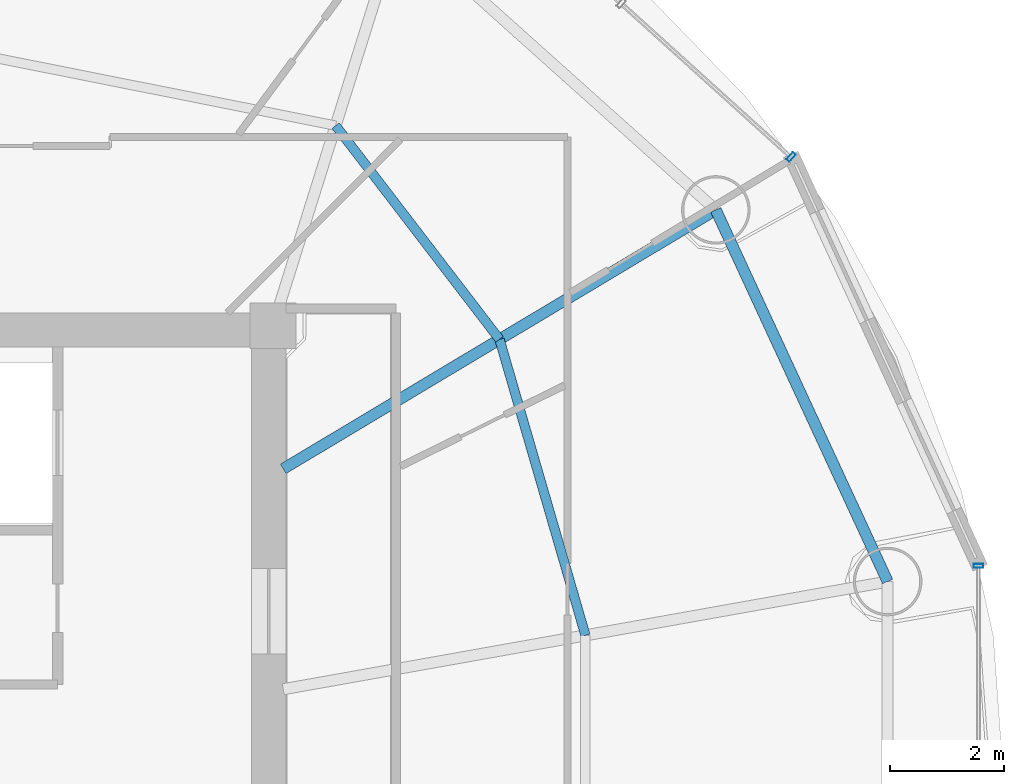
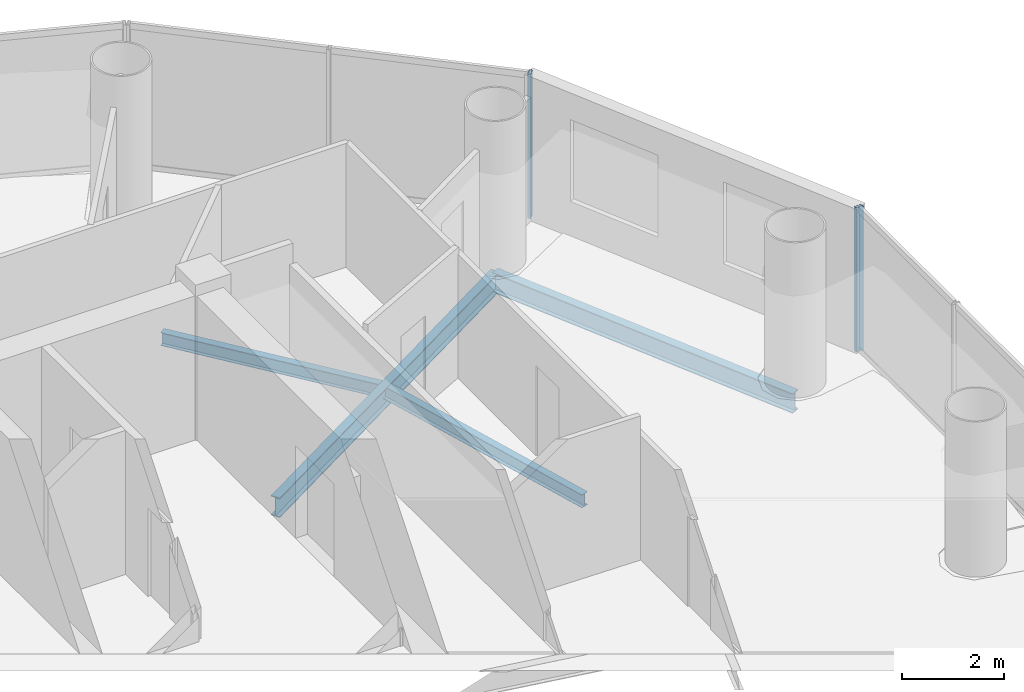
# One storey, part 13 of 26: 4 beams, 2 members, 2 elements without a shape of their own.
"""IFC4 building model written with IfcOpenShell, lengths in metres."""

from ifc_helpers import new_model, si_unit, direction, frame, origin, origin_2d, place, context, subcontext, project, spatial, hollow_rectangle, i_section, extrude, source, transform, mapped, material, material_profile, profile_set, type_object, element, aggregate, save


model = new_model("IFC4")

# Units and contexts
model_context = context("Model", 3, precision=1e-05, world=origin(), true_north=direction((-0.2419218956, 0.970295726276)))
body_context = subcontext(model_context, "Body", "Model", "MODEL_VIEW")
ifc_project = project(units=[si_unit("LENGTHUNIT", "METRE"), si_unit("AREAUNIT", "SQUARE_METRE"), si_unit("VOLUMEUNIT", "CUBIC_METRE"), si_unit("PLANEANGLEUNIT", "RADIAN"), si_unit("MASSUNIT", "GRAM", prefix="KILO")], contexts=[model_context])

# Site, building, storey
site_placement = place(None, origin())
site = spatial("IfcSite", under=ifc_project, at=site_placement, CompositionType="ELEMENT")
building_placement = place(site_placement, origin())
building = spatial("IfcBuilding", under=site, at=building_placement, Name="Cobrevalo Terracotta Tower", CompositionType="ELEMENT")
storey_placement = place(building_placement, frame((0.0, 0.0, 235.60009765625)))
storey = spatial("IfcBuildingStorey", under=building, at=storey_placement, Name="L62", CompositionType="ELEMENT", Elevation=235.60009765625)

# Beams
ifc_material_1 = material(Name="Steel S355", Category="steel")
ifc_material_profile_1 = material_profile(ifc_material_1, i_section(OverallWidth=0.194091796875, OverallDepth=0.468994140625, WebThickness=0.011474609375, FlangeThickness=0.0205078125, at=origin_2d()), Name="W 460x106")
ifc_profile_set_1 = profile_set([ifc_material_profile_1], Name="Steel S355")
beam_type_1 = type_object("IfcBeamType", Name="Structural Beam W 460x106 (Steel S355)", PredefinedType="BEAM", material=ifc_profile_set_1)
beam_1_placement = place(storey_placement, frame((54.754150390625, 36.828125, -0.49951171875), z_axis=(-0.858046392192, -0.513572184651, 0.0), x_axis=(0.513572184651, -0.858046392192, 0.0)))
element("IfcBeam", 1, at=beam_1_placement, inside=storey, type_object=beam_type_1, Name="L62 radial floor girder 02", PredefinedType="BEAM", context=body_context, shape_type="SweptSolid", body=[
    extrude(i_section(OverallWidth=0.194091796875, OverallDepth=0.468994140625, WebThickness=0.011474609375, FlangeThickness=0.0205078125, at=origin_2d()), origin(), (0.0, 0.0, 1.0), 8.827392578125),
])
ifc_material_profile_2 = material_profile(ifc_material_1, i_section(OverallWidth=0.1650390625, OverallDepth=0.31005859375, WebThickness=0.005859375, FlangeThickness=0.009765625, at=origin_2d()), Name="W 310x38.7")
ifc_profile_set_2 = profile_set([ifc_material_profile_2], Name="Steel S355")
beam_type_2 = type_object("IfcBeamType", Name="Structural Joist W 310x38.7 (Steel S355)", PredefinedType="JOIST", material=ifc_profile_set_2)
beam_2_placement = place(storey_placement, frame((52.471435546875, 29.378662109375, -0.420166015625), z_axis=(-0.278769817131, 0.960357948401, 0.0), x_axis=(-0.960357948401, -0.278769817131, 0.0)))
element("IfcBeam", 2, at=beam_2_placement, inside=storey, type_object=beam_type_2, Name="L62 circumferential secondary floor joist 01", PredefinedType="JOIST", context=body_context, shape_type="SweptSolid", body=[
    extrude(i_section(OverallWidth=0.1650390625, OverallDepth=0.31005859375, WebThickness=0.005859375, FlangeThickness=0.009765625, at=origin_2d()), origin(), (0.0, 0.0, 1.0), 5.396484375),
])
beam_3_placement = place(storey_placement, frame((50.967041015625, 34.561279296875, -0.420166015625), z_axis=(-0.608464146296, 0.793581364872, 0.0), x_axis=(-0.793581364872, -0.608464146296, 0.0)))
element("IfcBeam", 3, at=beam_3_placement, inside=storey, type_object=beam_type_2, Name="L62 circumferential secondary floor joist 02", PredefinedType="JOIST", context=body_context, shape_type="SweptSolid", body=[
    extrude(i_section(OverallWidth=0.1650390625, OverallDepth=0.31005859375, WebThickness=0.005859375, FlangeThickness=0.009765625, at=origin_2d()), origin(), (0.0, 0.0, 1.0), 4.716064453125),
])
ifc_material_profile_3 = material_profile(ifc_material_1, i_section(OverallWidth=0.194091796875, OverallDepth=0.468994140625, WebThickness=0.011474609375, FlangeThickness=0.0205078125, at=origin_2d()), Name="W 460x106")
ifc_profile_set_3 = profile_set([ifc_material_profile_3], Name="Steel S355")
beam_type_3 = type_object("IfcBeamType", Name="Structural Spandrel W 460x106 (Steel S355)", PredefinedType="SPANDREL", material=ifc_profile_set_3)
beam_4_placement = place(storey_placement, frame((57.762939453125, 30.3212890625, -0.49951171875), z_axis=(-0.419705965131, 0.907660125176, 0.0), x_axis=(-0.907660125176, -0.419705965131, 0.0)))
element("IfcBeam", 4, at=beam_4_placement, inside=storey, type_object=beam_type_3, Name="L62 perimeter ring spandrel 01", PredefinedType="SPANDREL", context=body_context, shape_type="SweptSolid", body=[
    extrude(i_section(OverallWidth=0.194091796875, OverallDepth=0.468994140625, WebThickness=0.011474609375, FlangeThickness=0.0205078125, at=origin_2d()), origin(), (0.0, 0.0, 1.0), 7.168701171875),
])

# Curtain wall, member
ifc_material_2 = material(Name="Anodized aluminium", Category="aluminium")
curtain_wall_type = type_object("IfcCurtainWallType", Name="Mid-tower high-wind unitised curtain wall CW-U2", PredefinedType="NOTDEFINED", material=ifc_material_2)
curtain_wall_1_placement = place(storey_placement, origin())
curtain_wall_1 = element("IfcCurtainWall", 5, at=curtain_wall_1_placement, inside=storey, type_object=curtain_wall_type, Name="L62 curtain wall CW-L62-S02", PredefinedType="NOTDEFINED")
ifc_material_profile_4 = material_profile(ifc_material_2, hollow_rectangle(XDim=0.070068359375, YDim=0.169921875, WallThickness=0.00439453125, at=origin_2d()), Name="CWM 70x170")
ifc_profile_set_4 = profile_set([ifc_material_profile_4], Name="Anodized aluminium")
member_type = type_object("IfcMemberType", Name="Upper tower unitised mullion 70x170", PredefinedType="MULLION", material=ifc_profile_set_4)
shared_shape = source(origin(), body_context, "Body", "SweptSolid", [
    extrude(hollow_rectangle(XDim=0.070068359375, YDim=0.169921875, WallThickness=0.00439453125, at=origin_2d()), origin(), (0.0, 0.0, 1.0), 3.434814453125),
])
member_1_placement = place(storey_placement, frame((56.071533203125, 37.7548828125, 0.0), z_axis=(0.0, 0.0, 1.0), x_axis=(-0.741987542015, 0.670413668935, 0.0)))
member_1 = element("IfcMember", 6, at=member_1_placement, type_object=member_type, Name="CW-L62-S02 vertical mullion 01", PredefinedType="MULLION", context=body_context, shape_type="MappedRepresentation", body=[
    mapped(shared_shape, transform((0.0, 0.0, 0.0), scale=1.0)),
])
aggregate(curtain_wall_1, [member_1])

curtain_wall_2_placement = place(storey_placement, origin())
curtain_wall_2 = element("IfcCurtainWall", 7, at=curtain_wall_2_placement, inside=storey, type_object=curtain_wall_type, Name="L62 curtain wall CW-L62-S16", PredefinedType="NOTDEFINED")
member_2_placement = place(storey_placement, frame((59.351806640625, 30.597412109375, 0.0), z_axis=(0.0, 0.0, 1.0), x_axis=(0.0, 1.0, 0.0)))
member_2 = element("IfcMember", 8, at=member_2_placement, type_object=member_type, Name="CW-L62-S16 vertical mullion 03", PredefinedType="MULLION", context=body_context, shape_type="MappedRepresentation", body=[
    mapped(shared_shape, transform((0.0, 0.0, 0.0), scale=1.0)),
])
aggregate(curtain_wall_2, [member_2])

save(model, "model.ifc")
